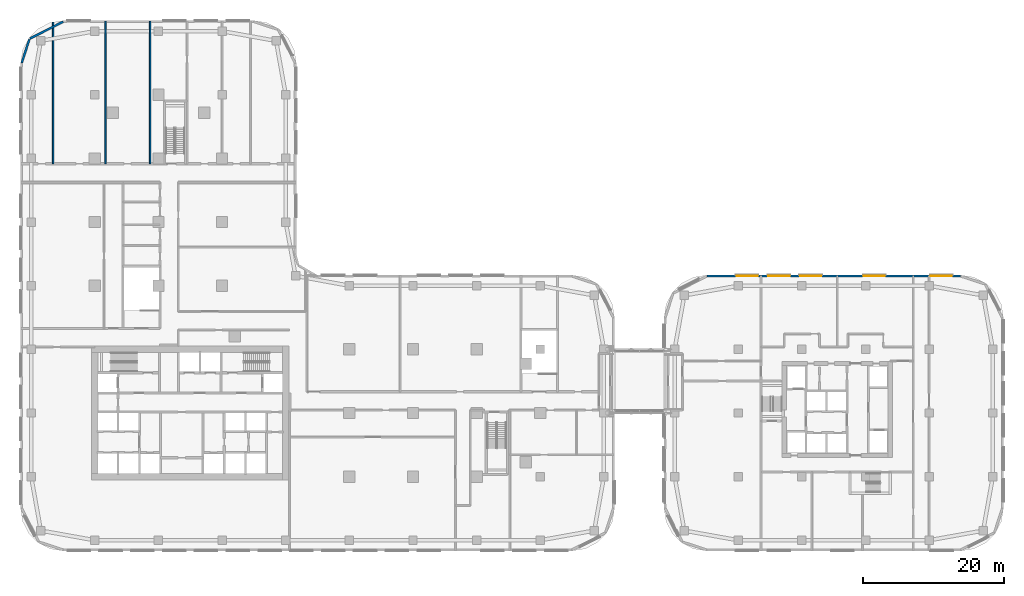
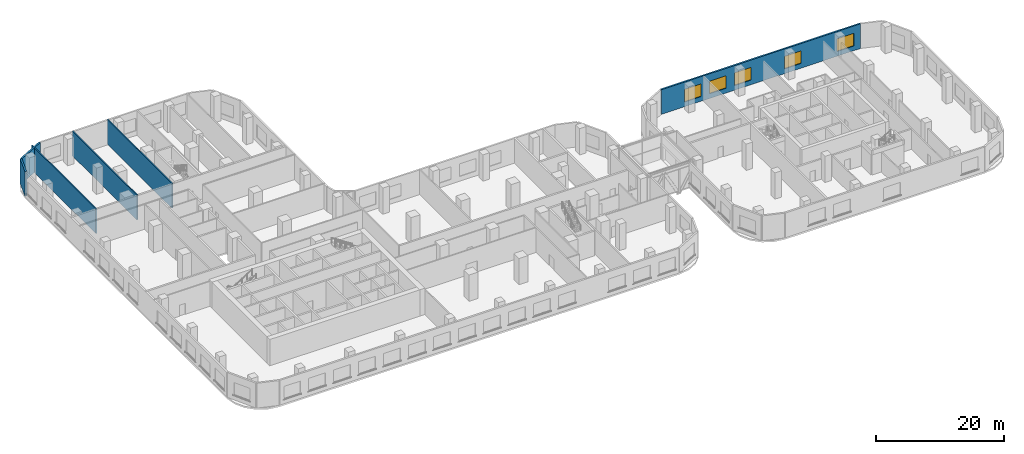
# One storey, part 14 of 33: 6 walls, 5 windows, 5 openings.
"""IFC4 building model written with IfcOpenShell, lengths in metres."""

from ifc_helpers import new_model, si_unit, direction, frame, frame_2d, origin, place, context, subcontext, project, spatial, rectangle, extrude, material, layer, layer_set, type_object, element, fill, save


model = new_model("IFC4")

# Units and contexts
model_context = context("Model", 3, precision=1e-05, world=origin(), true_north=direction((0.0, 1.0)))
body_context = subcontext(model_context, "Body", "Model", "MODEL_VIEW")
ifc_project = project(units=[si_unit("LENGTHUNIT", "METRE"), si_unit("AREAUNIT", "SQUARE_METRE"), si_unit("VOLUMEUNIT", "CUBIC_METRE"), si_unit("PLANEANGLEUNIT", "RADIAN"), si_unit("MASSUNIT", "GRAM", prefix="KILO")], contexts=[model_context])

# Site, building, storey
site_placement = place(None, origin())
site = spatial("IfcSite", under=ifc_project, at=site_placement, CompositionType="ELEMENT")
building_placement = place(site_placement, origin())
building = spatial("IfcBuilding", under=site, at=building_placement, Name="Ogive Portal Towers", CompositionType="ELEMENT")
storey_placement = place(building_placement, frame((0.0, 0.0, 28.5)))
storey = spatial("IfcBuildingStorey", under=building, at=storey_placement, Name="L05", CompositionType="ELEMENT", Elevation=28.5)

# Walls
ifc_material_1 = material(Name="Limestone cladding on lightweight block wall", Category="masonry")
ifc_layer_1 = layer(ifc_material_1, 0.300048828125)
ifc_layer_set_1 = layer_set([ifc_layer_1], Name="EXTERNAL WALL 300 STONE")
wall_type_1 = type_object("IfcWallType", Name="EXTERNAL WALL 300 STONE", PredefinedType="SOLIDWALL", material=ifc_layer_set_1)
wall_1_placement = place(storey_placement, frame((27.00390625, 85.833740234375, 0.0), z_axis=(0.0, 0.0, 1.0), x_axis=(-0.890998339455, -0.454006562826, 0.0)))
element("IfcWall", 1, at=wall_1_placement, inside=storey, type_object=wall_type_1, Name="A:L05:f15:w0", PredefinedType="SOLIDWALL", context=body_context, shape_type="SweptSolid", body=[
    extrude(rectangle(XDim=5.251708984375, YDim=0.300048828125, at=frame_2d((2.6259765625, 0.0))), origin(), (0.0, 0.0, 1.0), 4.699951171875),
])
wall_2_placement = place(storey_placement, frame((22.250244140625, 83.362060546875, 0.0), z_axis=(0.0, 0.0, 1.0), x_axis=(-0.309073584194, -0.951038127287, 0.0)))
element("IfcWall", 2, at=wall_2_placement, inside=storey, type_object=wall_type_1, Name="A:L05:f16:w0", PredefinedType="SOLIDWALL", context=body_context, shape_type="SweptSolid", body=[
    extrude(rectangle(XDim=3.536376953125, YDim=0.300048828125, at=frame_2d((1.76806640625, 0.0))), origin(), (0.0, 0.0, 1.0), 4.699951171875),
])

# Wall, openings, windows
wall_3_placement = place(storey_placement, frame((153.952392578125, 49.85009765625, 0.0), z_axis=(0.0, 0.0, 1.0), x_axis=(-1.0, 0.0, 0.0)))
wall_3 = element("IfcWall", 3, at=wall_3_placement, inside=storey, type_object=wall_type_1, Name="B:L05:f08:w0", PredefinedType="SOLIDWALL", context=body_context, shape_type="SweptSolid", body=[
    extrude(rectangle(XDim=35.88037109375, YDim=0.300048828125, at=frame_2d((17.940185546875, 0.0))), origin(), (0.0, 0.0, 1.0), 4.699951171875),
])
opening_1_placement = place(wall_3_placement, frame((1.226318359375, 0.0, 0.89990234375)))
opening_1 = element("IfcOpeningElement", 4, at=opening_1_placement, cuts=wall_3, Name="Opening WN3", PredefinedType="OPENING", context=body_context, shape_type="SweptSolid", body=[
    extrude(rectangle(XDim=3.0, YDim=2.39990234375, at=frame_2d((1.5, 1.199951171875))), frame((0.0, 0.16015625, 0.0), z_axis=(0.0, -1.0, 0.0), x_axis=(1.0, 0.0, 0.0)), (0.0, 0.0, 1.0), 0.320068359375),
])
opening_2_placement = place(wall_3_placement, frame((10.702392578125, 0.0, 0.89990234375)))
opening_2 = element("IfcOpeningElement", 5, at=opening_2_placement, cuts=wall_3, Name="Opening WN3", PredefinedType="OPENING", context=body_context, shape_type="SweptSolid", body=[
    extrude(rectangle(XDim=3.0, YDim=2.39990234375, at=frame_2d((1.5, 1.199951171875))), frame((0.0, 0.16015625, 0.0), z_axis=(0.0, -1.0, 0.0), x_axis=(1.0, 0.0, 0.0)), (0.0, 0.0, 1.0), 0.320068359375),
])
opening_3_placement = place(wall_3_placement, frame((19.702392578125, 0.0, 0.89990234375)))
opening_3 = element("IfcOpeningElement", 6, at=opening_3_placement, cuts=wall_3, Name="Opening WN3", PredefinedType="OPENING", context=body_context, shape_type="SweptSolid", body=[
    extrude(rectangle(XDim=3.0, YDim=2.39990234375, at=frame_2d((1.5, 1.199951171875))), frame((0.0, 0.16015625, 0.0), z_axis=(0.0, -1.0, 0.0), x_axis=(1.0, 0.0, 0.0)), (0.0, 0.0, 1.0), 0.320068359375),
])
opening_4_placement = place(wall_3_placement, frame((24.202392578125, 0.0, 0.89990234375)))
opening_4 = element("IfcOpeningElement", 7, at=opening_4_placement, cuts=wall_3, Name="Opening WN3", PredefinedType="OPENING", context=body_context, shape_type="SweptSolid", body=[
    extrude(rectangle(XDim=3.0, YDim=2.39990234375, at=frame_2d((1.5, 1.199951171875))), frame((0.0, 0.16015625, 0.0), z_axis=(0.0, -1.0, 0.0), x_axis=(1.0, 0.0, 0.0)), (0.0, 0.0, 1.0), 0.320068359375),
])
opening_5_placement = place(wall_3_placement, frame((28.702392578125, 0.0, 0.89990234375)))
opening_5 = element("IfcOpeningElement", 8, at=opening_5_placement, cuts=wall_3, Name="Opening WN3", PredefinedType="OPENING", context=body_context, shape_type="SweptSolid", body=[
    extrude(rectangle(XDim=3.0, YDim=2.39990234375, at=frame_2d((1.5, 1.199951171875))), frame((0.0, 0.16015625, 0.0), z_axis=(0.0, -1.0, 0.0), x_axis=(1.0, 0.0, 0.0)), (0.0, 0.0, 1.0), 0.320068359375),
])
ifc_material_2 = material(Name="Glass, clear low-iron insulated glazing", Category="glass")
window_type = type_object("IfcWindowType", Name="WINDOW PODIUM 3000x2400", PartitioningType="SINGLE_PANEL", PredefinedType="WINDOW", material=ifc_material_2)
window_1_placement = place(opening_1_placement, origin())
window_1 = element("IfcWindow", 9, at=window_1_placement, inside=storey, type_object=window_type, Name="B:L05:f08:w0:o0", OverallHeight=2.39990234375, OverallWidth=3.0, PartitioningType="SINGLE_PANEL", PredefinedType="WINDOW", context=body_context, shape_type="SweptSolid", body=[
    extrude(rectangle(XDim=3.0, YDim=2.39990234375, at=frame_2d((1.5, 1.199951171875))), frame((0.0, 0.030029296875, 0.0), z_axis=(0.0, -1.0, 0.0), x_axis=(1.0, 0.0, 0.0)), (0.0, 0.0, 1.0), 0.06005859375),
])
fill(opening_1, window_1)
window_2_placement = place(opening_2_placement, origin())
window_2 = element("IfcWindow", 10, at=window_2_placement, inside=storey, type_object=window_type, Name="B:L05:f08:w0:o1b", OverallHeight=2.39990234375, OverallWidth=3.0, PartitioningType="SINGLE_PANEL", PredefinedType="WINDOW", context=body_context, shape_type="SweptSolid", body=[
    extrude(rectangle(XDim=3.0, YDim=2.39990234375, at=frame_2d((1.5, 1.199951171875))), frame((0.0, 0.030029296875, 0.0), z_axis=(0.0, -1.0, 0.0), x_axis=(1.0, 0.0, 0.0)), (0.0, 0.0, 1.0), 0.06005859375),
])
fill(opening_2, window_2)
window_3_placement = place(opening_3_placement, origin())
window_3 = element("IfcWindow", 11, at=window_3_placement, inside=storey, type_object=window_type, Name="B:L05:f08:w0:o2b", OverallHeight=2.39990234375, OverallWidth=3.0, PartitioningType="SINGLE_PANEL", PredefinedType="WINDOW", context=body_context, shape_type="SweptSolid", body=[
    extrude(rectangle(XDim=3.0, YDim=2.39990234375, at=frame_2d((1.5, 1.199951171875))), frame((0.0, 0.030029296875, 0.0), z_axis=(0.0, -1.0, 0.0), x_axis=(1.0, 0.0, 0.0)), (0.0, 0.0, 1.0), 0.06005859375),
])
fill(opening_3, window_3)
window_4_placement = place(opening_4_placement, origin())
window_4 = element("IfcWindow", 12, at=window_4_placement, inside=storey, type_object=window_type, Name="B:L05:f08:w0:o3a", OverallHeight=2.39990234375, OverallWidth=3.0, PartitioningType="SINGLE_PANEL", PredefinedType="WINDOW", context=body_context, shape_type="SweptSolid", body=[
    extrude(rectangle(XDim=3.0, YDim=2.39990234375, at=frame_2d((1.5, 1.199951171875))), frame((0.0, 0.030029296875, 0.0), z_axis=(0.0, -1.0, 0.0), x_axis=(1.0, 0.0, 0.0)), (0.0, 0.0, 1.0), 0.06005859375),
])
fill(opening_4, window_4)
window_5_placement = place(opening_5_placement, origin())
window_5 = element("IfcWindow", 13, at=window_5_placement, inside=storey, type_object=window_type, Name="B:L05:f08:w0:o3b", OverallHeight=2.39990234375, OverallWidth=3.0, PartitioningType="SINGLE_PANEL", PredefinedType="WINDOW", context=body_context, shape_type="SweptSolid", body=[
    extrude(rectangle(XDim=3.0, YDim=2.39990234375, at=frame_2d((1.5, 1.199951171875))), frame((0.0, 0.030029296875, 0.0), z_axis=(0.0, -1.0, 0.0), x_axis=(1.0, 0.0, 0.0)), (0.0, 0.0, 1.0), 0.06005859375),
])
fill(opening_5, window_5)

# Walls
ifc_material_3 = material(Name="Gypsum board partition on steel studs", Category="steel")
ifc_layer_2 = layer(ifc_material_3, 0.199951171875)
ifc_layer_set_2 = layer_set([ifc_layer_2], Name="WT-PART-200-EI 60")
wall_type_2 = type_object("IfcWallType", Name="WT-PART-200-EI 60", PredefinedType="PARTITIONING", material=ifc_layer_set_2)
wall_4_placement = place(storey_placement, frame((25.614990234375, 65.75, 0.0), z_axis=(0.0, 0.0, 1.0), x_axis=(0.0, 1.0, 0.0)))
element("IfcWall", 14, at=wall_4_placement, inside=storey, type_object=wall_type_2, Name="Wall L05:w077", PredefinedType="PARTITIONING", context=body_context, shape_type="SweptSolid", body=[
    extrude(rectangle(XDim=20.02099609375, YDim=0.199951171875, at=frame_2d((10.010498046875, 0.0))), origin(), (0.0, 0.0, 1.0), 4.699951171875),
])
for number, where, z_axis, x_axis, name in (
    (15, (33.01806640625, 65.75, 0.0), (0.0, 0.0, 1.0), (0.0, 1.0, 0.0), "Wall L05:w081"),
    (16, (39.330078125, 65.75, 0.0), (0.0, 0.0, 1.0), (0.0, 1.0, 0.0), "Wall L05:w083"),
):
    element("IfcWall", number, at=place(storey_placement, frame(where, z_axis=z_axis, x_axis=x_axis)), inside=storey, type_object=wall_type_2, Name=name, PredefinedType="PARTITIONING", context=body_context, shape_type="SweptSolid", body=[
        extrude(rectangle(XDim=20.179931640625, YDim=0.199951171875, at=frame_2d((10.08984375, 0.0))), origin(), (0.0, 0.0, 1.0), 4.699951171875),
    ])

save(model, "model.ifc")
